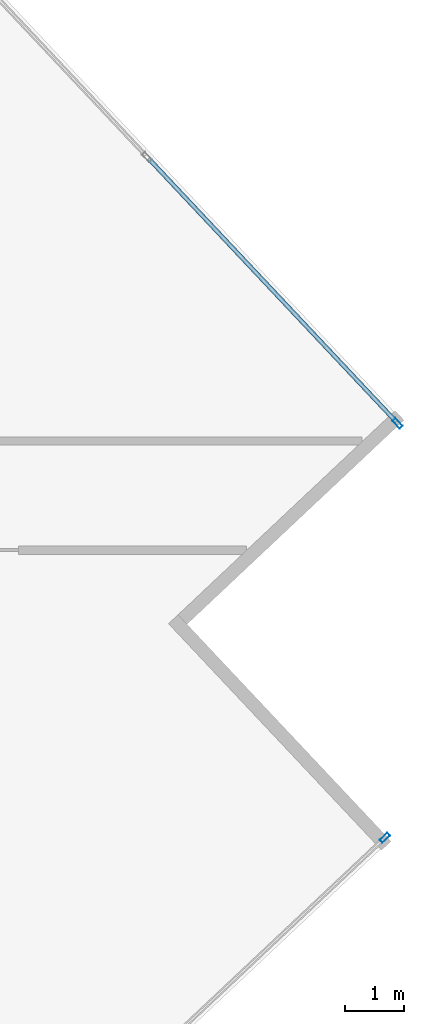
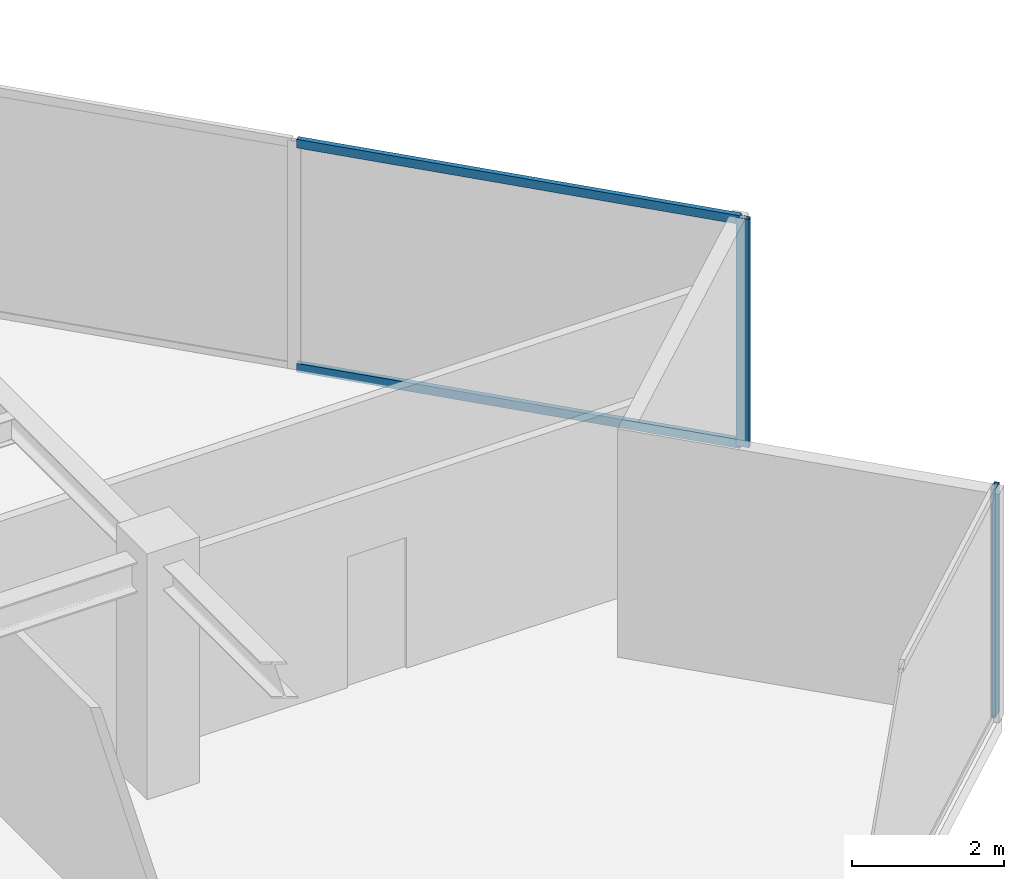
# One storey, part 12 of 25: 4 members, 2 elements without a shape of their own.
"""IFC4 building model written with IfcOpenShell, lengths in metres."""

from ifc_helpers import new_model, si_unit, direction, frame, origin, origin_2d, place, context, subcontext, project, spatial, hollow_rectangle, extrude, source, transform, mapped, material, material_profile, profile_set, type_object, type_shapes, element, aggregate, save


model = new_model("IFC4")

# Units and contexts
model_context = context("Model", 3, precision=1e-05, world=origin(), true_north=direction((0.0, 1.0)))
body_context = subcontext(model_context, "Body", "Model", "MODEL_VIEW")
ifc_project = project(units=[si_unit("LENGTHUNIT", "METRE"), si_unit("AREAUNIT", "SQUARE_METRE"), si_unit("VOLUMEUNIT", "CUBIC_METRE"), si_unit("PLANEANGLEUNIT", "RADIAN"), si_unit("MASSUNIT", "GRAM", prefix="KILO")], contexts=[model_context])

# Site, building, storey
site_placement = place(None, origin())
site = spatial("IfcSite", under=ifc_project, at=site_placement, CompositionType="ELEMENT")
building_placement = place(site_placement, origin())
building = spatial("IfcBuilding", under=site, at=building_placement, Name="Krantzveldt Concourse Tower", CompositionType="ELEMENT")
storey_placement = place(building_placement, frame((0.0, 0.0, 238.89990234375)))
storey = spatial("IfcBuildingStorey", under=building, at=storey_placement, Name="L58", CompositionType="ELEMENT", Elevation=238.89990234375)

# Curtain wall, member
ifc_material = material(Name="Anodised aluminium 6063-T6", Category="aluminium")
curtain_wall_type = type_object("IfcCurtainWallType", Name="CW3", PredefinedType="USERDEFINED", material=ifc_material)
curtain_wall_1_placement = place(storey_placement, origin())
curtain_wall_1 = element("IfcCurtainWall", 1, at=curtain_wall_1_placement, inside=storey, type_object=curtain_wall_type, Name="CW-L58-F11", ObjectType="UNITISED CURTAIN WALL", PredefinedType="USERDEFINED")
ifc_material_profile_1 = material_profile(ifc_material, hollow_rectangle(XDim=0.070068359375, YDim=0.179931640625, WallThickness=0.0048828125, at=origin_2d()), Name="Anodised aluminium 6063-T6", Category="aluminium")
ifc_profile_set_1 = profile_set([ifc_material_profile_1], Name="Anodised aluminium 6063-T6 - ALU-MULL 180x70x5")
member_type_1 = type_object("IfcMemberType", Name="CW-MUL-180", PredefinedType="MULLION", material=ifc_profile_set_1)
shared_shape_1 = source(origin(), body_context, "Body", "SweptSolid", [
    extrude(hollow_rectangle(XDim=0.070068359375, YDim=0.179931640625, WallThickness=0.0048828125, at=origin_2d()), origin(), (0.0, 0.0, 1.0), 3.670166015625),
])
type_shapes(member_type_1, [shared_shape_1])
member_1_placement = place(storey_placement, frame((61.248779296875, 22.430419921875, 0.0), z_axis=(0.0, 0.0, 1.0), x_axis=(-0.685182945184, 0.728371012348, 0.0)))
member_1 = element("IfcMember", 2, at=member_1_placement, type_object=member_type_1, Name="CW-Z34 mullion 6", PredefinedType="MULLION", context=body_context, shape_type="MappedRepresentation", body=[
    mapped(shared_shape_1, transform((0.0, 0.0, 0.0), x_axis=(1.0, 0.0, 0.0), y_axis=(0.0, 1.0, 0.0), z_axis=(0.0, 0.0, 1.0), scale=1.0)),
])
aggregate(curtain_wall_1, [member_1])

# Curtain wall, members
curtain_wall_2_placement = place(storey_placement, origin())
curtain_wall_2 = element("IfcCurtainWall", 3, at=curtain_wall_2_placement, inside=storey, type_object=curtain_wall_type, Name="CW-L58-F14", ObjectType="UNITISED CURTAIN WALL", PredefinedType="USERDEFINED")
member_2_placement = place(storey_placement, frame((61.46240234375, 29.42041015625, 0.0), z_axis=(0.0, 0.0, 1.0), x_axis=(-0.728371012348, -0.685182945184, 0.0)))
member_2 = element("IfcMember", 4, at=member_2_placement, type_object=member_type_1, Name="CW-Z34 mullion 1", PredefinedType="MULLION", context=body_context, shape_type="MappedRepresentation", body=[
    mapped(shared_shape_1, transform((0.0, 0.0, 0.0), x_axis=(1.0, 0.0, 0.0), y_axis=(0.0, 1.0, 0.0), z_axis=(0.0, 0.0, 1.0), scale=1.0)),
])
ifc_material_profile_2 = material_profile(ifc_material, hollow_rectangle(XDim=0.070068359375, YDim=0.139892578125, WallThickness=0.0048828125, at=origin_2d()), Name="Anodised aluminium 6063-T6", Category="aluminium")
ifc_profile_set_2 = profile_set([ifc_material_profile_2], Name="Anodised aluminium 6063-T6 - ALU-TRAN 140x70x5")
member_type_2 = type_object("IfcMemberType", Name="CW-TRN-150", PredefinedType="USERDEFINED", material=ifc_profile_set_2)
shared_shape_2 = source(origin(), body_context, "Body", "SweptSolid", [
    extrude(hollow_rectangle(XDim=0.070068359375, YDim=0.139892578125, WallThickness=0.0048828125, at=origin_2d()), origin(), (0.0, 0.0, 1.0), 6.094970703125),
])
type_shapes(member_type_2, [shared_shape_2])
member_3_placement = place(storey_placement, frame((61.4384765625, 29.44580078125, 0.03515625), z_axis=(-0.685187259072, 0.728366954224, 0.0), x_axis=(-0.728366954224, -0.685187259072, 0.0)))
member_3 = element("IfcMember", 5, at=member_3_placement, type_object=member_type_2, Name="CW-Z34 transom 1.1", ObjectType="TRANSOM", PredefinedType="USERDEFINED", context=body_context, shape_type="MappedRepresentation", body=[
    mapped(shared_shape_2, transform((0.0, 0.0, 0.0), x_axis=(1.0, 0.0, 0.0), y_axis=(0.0, 1.0, 0.0), z_axis=(0.0, 0.0, 1.0), scale=1.0)),
])
member_4_placement = place(storey_placement, frame((61.4384765625, 29.44580078125, 3.635009765625), z_axis=(-0.685187259072, 0.728366954224, 0.0), x_axis=(-0.728366954224, -0.685187259072, 0.0)))
member_4 = element("IfcMember", 6, at=member_4_placement, type_object=member_type_2, Name="CW-Z34 transom 1.2", ObjectType="TRANSOM", PredefinedType="USERDEFINED", context=body_context, shape_type="MappedRepresentation", body=[
    mapped(shared_shape_2, transform((0.0, 0.0, 0.0), x_axis=(1.0, 0.0, 0.0), y_axis=(0.0, 1.0, 0.0), z_axis=(0.0, 0.0, 1.0), scale=1.0)),
])
aggregate(curtain_wall_2, [member_2, member_3, member_4])

save(model, "model.ifc")
